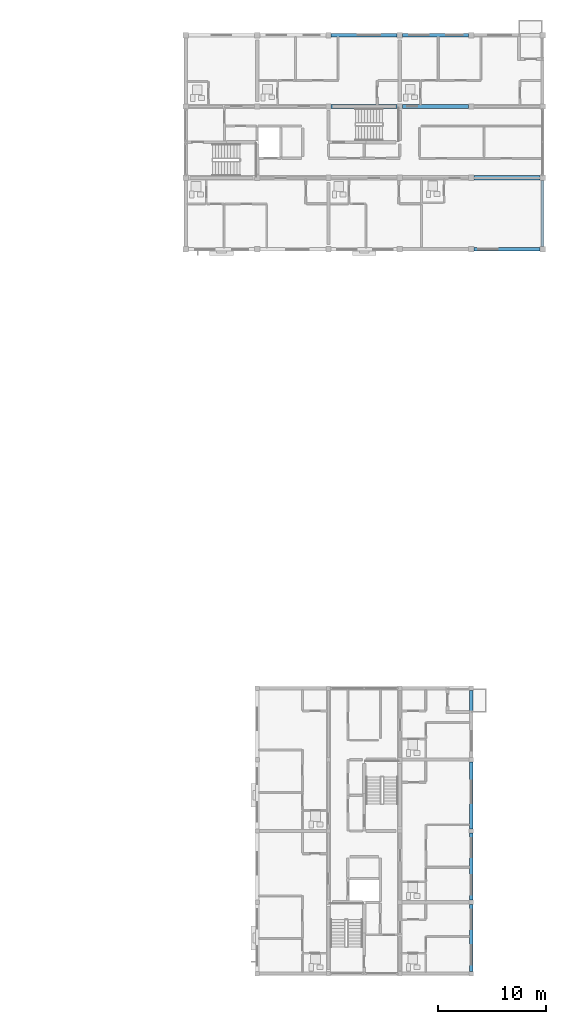
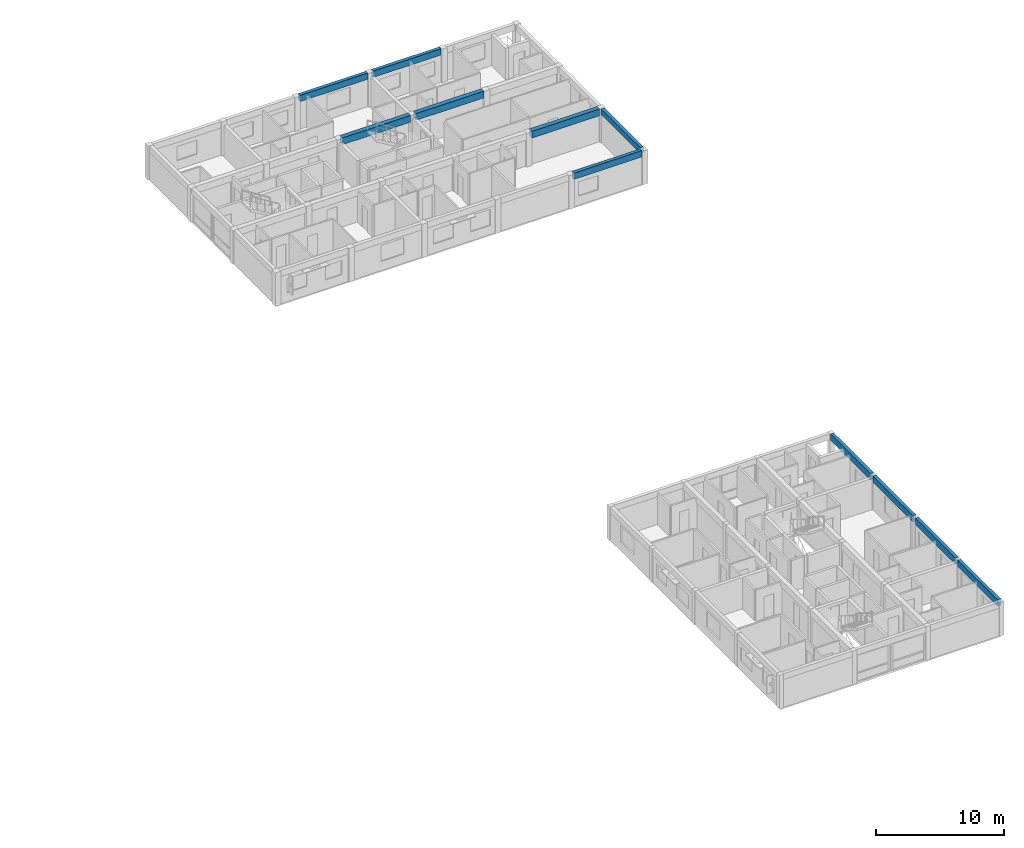
# One storey, part 21 of 49: 11 beams.
"""IFC4 building model written with IfcOpenShell, lengths in metres."""

from ifc_helpers import new_model, si_unit, direction, frame, origin, origin_2d, place, context, subcontext, project, spatial, rectangle, extrude, material, material_profile, profile_set, type_object, element, save


model = new_model("IFC4")

# Units and contexts
model_context = context("Model", 3, precision=1e-05, world=origin(), true_north=direction((0.0, 1.0)))
body_context = subcontext(model_context, "Body", "Model", "MODEL_VIEW")
ifc_project = project(units=[si_unit("LENGTHUNIT", "METRE"), si_unit("AREAUNIT", "SQUARE_METRE"), si_unit("VOLUMEUNIT", "CUBIC_METRE"), si_unit("PLANEANGLEUNIT", "RADIAN"), si_unit("MASSUNIT", "GRAM", prefix="KILO")], contexts=[model_context])

# Site, building, storey
site_placement = place(None, origin())
site = spatial("IfcSite", under=ifc_project, at=site_placement, CompositionType="ELEMENT")
building_placement = place(site_placement, origin())
building = spatial("IfcBuilding", under=site, at=building_placement, Name="Kernevlak Ridge Housing Community", CompositionType="ELEMENT")
storey_placement = place(building_placement, frame((0.0, 0.0, 30.800048828125)))
storey = spatial("IfcBuildingStorey", under=building, at=storey_placement, Name="L09", CompositionType="ELEMENT", Elevation=30.800048828125)

# Beams
ifc_material = material(Name="Concrete C35/45", Category="concrete")
ifc_material_profile_1 = material_profile(ifc_material, rectangle(XDim=0.39990234375, YDim=0.64990234375, at=origin_2d()), Name="RC 400x650")
ifc_profile_set_1 = profile_set([ifc_material_profile_1], Name="Concrete C35/45")
beam_type_1 = type_object("IfcBeamType", Name="B-03", PredefinedType="T_BEAM", material=ifc_profile_set_1)
for number, where, z_axis, x_axis, name in (
    (1, (146.050048828125, 89.199951171875, 2.875), (1.0, 0.0, 0.0), (0.0, 1.0, 0.0), "Beam B-03 L09 820"),
    (2, (132.85009765625, 95.800048828125, 2.875), (1.0, 0.0, 0.0), (0.0, 1.0, 0.0), "Beam B-03 L09 823"),
):
    element("IfcBeam", number, at=place(storey_placement, frame(where, z_axis=z_axis, x_axis=x_axis)), inside=storey, type_object=beam_type_1, Name=name, PredefinedType="T_BEAM", context=body_context, shape_type="SweptSolid", body=[
        extrude(rectangle(XDim=0.39990234375, YDim=0.64990234375, at=origin_2d()), origin(), (0.0, 0.0, 1.0), 6.099853515625),
    ])
beam_1_placement = place(storey_placement, frame((139.449951171875, 95.800048828125, 2.875), z_axis=(1.0, 0.0, 0.0), x_axis=(0.0, 1.0, 0.0)))
element("IfcBeam", 3, at=beam_1_placement, inside=storey, type_object=beam_type_1, Name="Beam B-03 L09 824", PredefinedType="T_BEAM", context=body_context, shape_type="SweptSolid", body=[
    extrude(rectangle(XDim=0.39990234375, YDim=0.64990234375, at=origin_2d()), origin(), (0.0, 0.0, 1.0), 6.10009765625),
])
ifc_material_profile_2 = material_profile(ifc_material, rectangle(XDim=0.300048828125, YDim=0.550048828125, at=origin_2d()), Name="RC 300x550")
ifc_profile_set_2 = profile_set([ifc_material_profile_2], Name="Concrete C35/45")
beam_type_2 = type_object("IfcBeamType", Name="SP-01", PredefinedType="SPANDREL", material=ifc_profile_set_2)
beam_2_placement = place(storey_placement, frame((152.39990234375, 82.85009765625, 2.925048828125), z_axis=(0.0, 1.0, 0.0), x_axis=(-1.0, 0.0, 0.0)))
element("IfcBeam", 4, at=beam_2_placement, inside=storey, type_object=beam_type_2, Name="Beam SP-01 L09 834", PredefinedType="SPANDREL", context=body_context, shape_type="SweptSolid", body=[
    extrude(rectangle(XDim=0.300048828125, YDim=0.550048828125, at=origin_2d()), origin(), (0.0, 0.0, 1.0), 6.099853515625),
])
ifc_material_profile_3 = material_profile(ifc_material, rectangle(XDim=0.300048828125, YDim=0.60009765625, at=origin_2d()), Name="RC 300x600")
ifc_profile_set_3 = profile_set([ifc_material_profile_3], Name="Concrete C35/45")
beam_type_3 = type_object("IfcBeamType", Name="SP-02", PredefinedType="SPANDREL", material=ifc_profile_set_3)
for number, where, z_axis, x_axis, name in (
    (5, (146.050048828125, 82.60009765625, 2.89990234375), (1.0, 0.0, 0.0), (0.0, 1.0, 0.0), "Beam SP-02 L09 815"),
    (6, (132.85009765625, 102.39990234375, 2.89990234375), (1.0, 0.0, 0.0), (0.0, 1.0, 0.0), "Beam SP-02 L09 828"),
):
    element("IfcBeam", number, at=place(storey_placement, frame(where, z_axis=z_axis, x_axis=x_axis)), inside=storey, type_object=beam_type_3, Name=name, PredefinedType="SPANDREL", context=body_context, shape_type="SweptSolid", body=[
        extrude(rectangle(XDim=0.300048828125, YDim=0.60009765625, at=origin_2d()), origin(), (0.0, 0.0, 1.0), 6.099853515625),
    ])
beam_3_placement = place(storey_placement, frame((139.449951171875, 102.39990234375, 2.89990234375), z_axis=(1.0, 0.0, 0.0), x_axis=(0.0, 1.0, 0.0)))
element("IfcBeam", 7, at=beam_3_placement, inside=storey, type_object=beam_type_3, Name="Beam SP-02 L09 829", PredefinedType="SPANDREL", context=body_context, shape_type="SweptSolid", body=[
    extrude(rectangle(XDim=0.300048828125, YDim=0.60009765625, at=origin_2d()), origin(), (0.0, 0.0, 1.0), 6.10009765625),
])
beam_4_placement = place(storey_placement, frame((145.800048828125, 15.800048828125, 2.89990234375), z_axis=(0.0, 1.0, 0.0), x_axis=(-1.0, 0.0, 0.0)))
element("IfcBeam", 8, at=beam_4_placement, inside=storey, type_object=beam_type_3, Name="Beam SP-02 L09 1212", PredefinedType="SPANDREL", context=body_context, shape_type="SweptSolid", body=[
    extrude(rectangle(XDim=0.300048828125, YDim=0.60009765625, at=origin_2d()), origin(), (0.0, 0.0, 1.0), 6.199951171875),
])
beam_5_placement = place(storey_placement, frame((145.800048828125, 22.39990234375, 2.89990234375), z_axis=(0.0, 1.0, 0.0), x_axis=(-1.0, 0.0, 0.0)))
element("IfcBeam", 9, at=beam_5_placement, inside=storey, type_object=beam_type_3, Name="Beam SP-02 L09 1213", PredefinedType="SPANDREL", context=body_context, shape_type="SweptSolid", body=[
    extrude(rectangle(XDim=0.300048828125, YDim=0.60009765625, at=origin_2d()), origin(), (0.0, 0.0, 1.0), 6.2001953125),
])
for number, where, z_axis, x_axis, name in (
    (10, (145.800048828125, 29.0, 2.89990234375), (0.0, 1.0, 0.0), (-1.0, 0.0, 0.0), "Beam SP-02 L09 1214"),
    (11, (145.800048828125, 35.60009765625, 2.89990234375), (0.0, 1.0, 0.0), (-1.0, 0.0, 0.0), "Beam SP-02 L09 1215"),
):
    element("IfcBeam", number, at=place(storey_placement, frame(where, z_axis=z_axis, x_axis=x_axis)), inside=storey, type_object=beam_type_3, Name=name, PredefinedType="SPANDREL", context=body_context, shape_type="SweptSolid", body=[
        extrude(rectangle(XDim=0.300048828125, YDim=0.60009765625, at=origin_2d()), origin(), (0.0, 0.0, 1.0), 6.199951171875),
    ])

save(model, "model.ifc")
